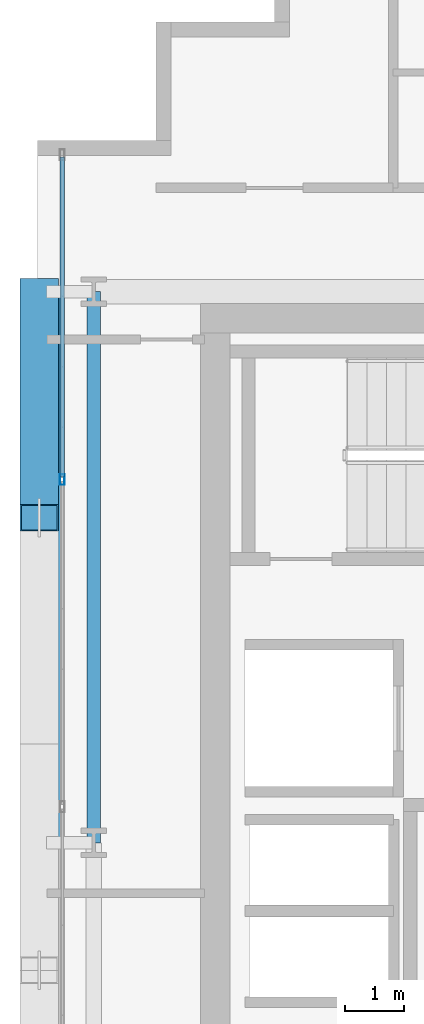
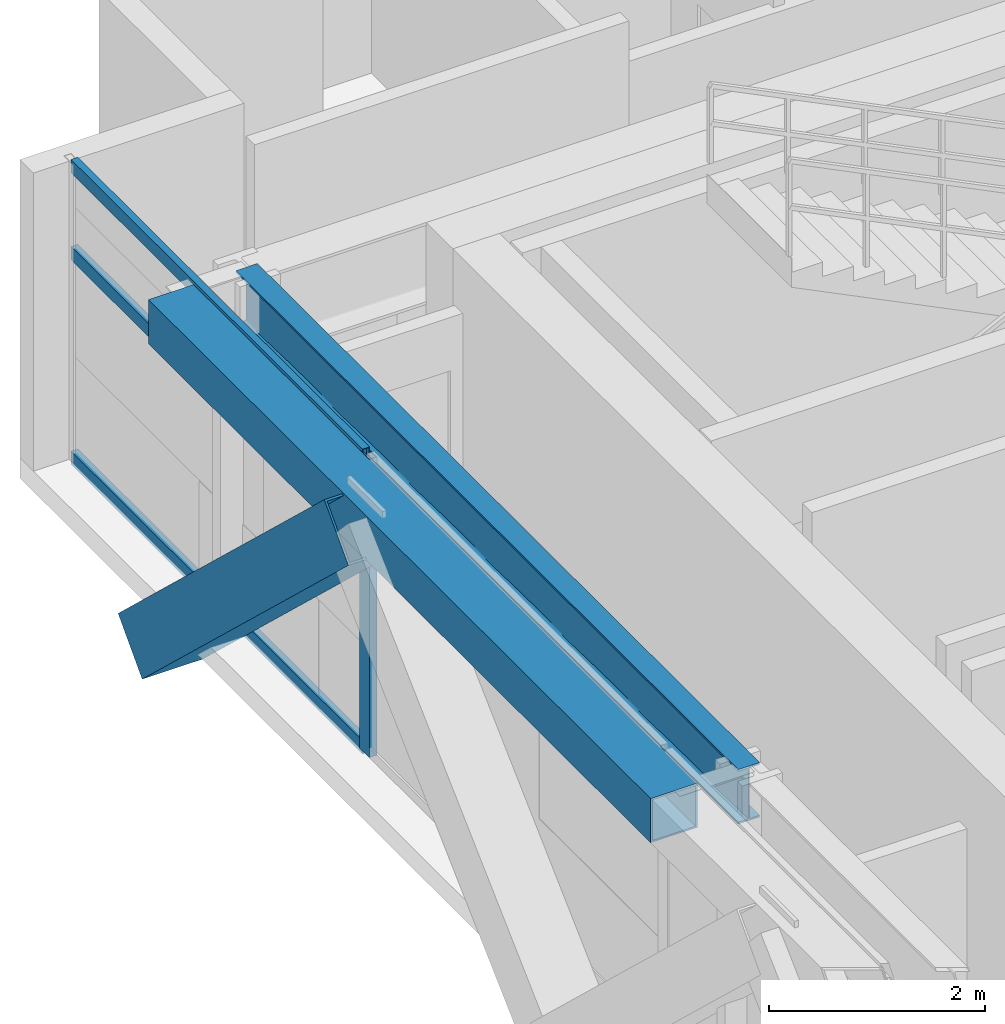
# One storey, part 8 of 32: 5 members, 2 beams, 1 element without a shape of its own.
"""IFC4 building model written with IfcOpenShell, lengths in metres."""

from ifc_helpers import new_model, si_unit, direction, frame, origin, origin_2d, place, context, subcontext, project, spatial, hollow_rectangle, i_section, extrude, source, transform, mapped, material, layer, layer_set, material_profile, profile_set, type_object, element, aggregate, save


model = new_model("IFC4")

# Units and contexts
model_context = context("Model", 3, precision=1e-05, world=origin(), true_north=direction((0.0, 1.0)))
body_context = subcontext(model_context, "Body", "Model", "MODEL_VIEW")
ifc_project = project(units=[si_unit("LENGTHUNIT", "METRE"), si_unit("AREAUNIT", "SQUARE_METRE"), si_unit("VOLUMEUNIT", "CUBIC_METRE"), si_unit("PLANEANGLEUNIT", "RADIAN"), si_unit("MASSUNIT", "GRAM", prefix="KILO")], contexts=[model_context])

# Site, building, storey
site_placement = place(None, origin())
site = spatial("IfcSite", under=ifc_project, at=site_placement, CompositionType="ELEMENT")
building_placement = place(site_placement, origin())
building = spatial("IfcBuilding", under=site, at=building_placement, Name="Ocotamira Hotel", CompositionType="ELEMENT")
storey_placement = place(building_placement, frame((0.0, 0.0, 166.800048828125)))
storey = spatial("IfcBuildingStorey", under=building, at=storey_placement, Name="L41", CompositionType="ELEMENT", Elevation=166.800048828125)

# Beams
ifc_material_1 = material(Name="Steel ASTM A992 Grade 50", Category="steel")
ifc_material_profile_1 = material_profile(ifc_material_1, i_section(OverallWidth=0.22998046875, OverallDepth=0.616943359375, WebThickness=0.01318359375, FlangeThickness=0.022216796875, FilletRadius=0.012939453125, at=origin_2d()), Name="W24X94")
ifc_profile_set_1 = profile_set([ifc_material_profile_1], Name="Steel ASTM A992 Grade 50")
beam_type_1 = type_object("IfcBeamType", Name="BM-PRIM-W24X94", PredefinedType="BEAM", material=ifc_profile_set_1)
shared_shape_1 = source(origin(), body_context, "Body", "SweptSolid", [
    extrude(i_section(OverallWidth=0.22998046875, OverallDepth=0.616943359375, WebThickness=0.01318359375, FlangeThickness=0.022216796875, FilletRadius=0.012939453125, at=origin_2d()), origin(), (0.0, 0.0, 1.0), 9.300048828125),
])
beam_1_placement = place(storey_placement, frame((8.949951171875, 28.14990234375, 3.0615234375), z_axis=(0.0, 1.0, 0.0), x_axis=(-1.0, 0.0, 0.0)))
element("IfcBeam", 1, at=beam_1_placement, inside=storey, type_object=beam_type_1, Name="L41 Beam X8.95 Y28.15-37.45", PredefinedType="BEAM", context=body_context, shape_type="MappedRepresentation", body=[
    mapped(shared_shape_1, transform((0.0, 0.0, 0.0), scale=1.0)),
])
ifc_material_2 = material(Name="Steel ASTM A500 Grade C", Category="steel")
ifc_material_profile_2 = material_profile(ifc_material_2, hollow_rectangle(XDim=0.5, YDim=0.5, WallThickness=0.02001953125, at=origin_2d()), Name="HSS500X500X20")
ifc_profile_set_2 = profile_set([ifc_material_profile_2], Name="Steel ASTM A500 Grade C")
beam_type_2 = type_object("IfcBeamType", Name="BM-SPAN-HSS500", PredefinedType="USERDEFINED", material=ifc_profile_set_2)
shared_shape_2 = source(origin(), body_context, "Body", "SweptSolid", [
    extrude(hollow_rectangle(XDim=0.5, YDim=0.5, WallThickness=0.02001953125, at=origin_2d()), origin(), (0.0, 0.0, 1.0), 9.300048828125),
])
beam_2_placement = place(storey_placement, frame((8.14990234375, 28.14990234375, 3.119873046875), z_axis=(0.0, 1.0, 0.0), x_axis=(-1.0, 0.0, 0.0)))
element("IfcBeam", 2, at=beam_2_placement, inside=storey, type_object=beam_type_2, Name="L41 Edge Spandrel W Y28.15-37.45", ObjectType="SPANDREL", PredefinedType="USERDEFINED", context=body_context, shape_type="MappedRepresentation", body=[
    mapped(shared_shape_2, transform((0.0, 0.0, 0.0), scale=1.0)),
])

# Member
ifc_material_3 = material(Name="Pale-metal coated steel ASTM A913 Grade 65", Category="steel")
ifc_material_profile_3 = material_profile(ifc_material_3, hollow_rectangle(XDim=0.64990234375, YDim=0.64990234375, WallThickness=0.02197265625, at=origin_2d()), Name="BOX650X650X22")
ifc_profile_set_3 = profile_set([ifc_material_profile_3], Name="Pale-metal coated steel ASTM A913 Grade 65")
member_type_1 = type_object("IfcMemberType", Name="MEM-EXO-BOX650", PredefinedType="BRACE", material=ifc_profile_set_3)
shared_shape_3 = source(origin(), body_context, "Body", "SweptSolid", [
    extrude(hollow_rectangle(XDim=0.64990234375, YDim=0.64990234375, WallThickness=0.02197265625, at=origin_2d()), origin(), (0.0, 0.0, 1.0), 5.24658203125),
])
member_1_placement = place(storey_placement, frame((8.030029296875, 37.449951171875, -0.47998046875), z_axis=(0.0, -0.72746596067, 0.686143772154), x_axis=(1.0, 0.0, 0.0)))
element("IfcMember", 3, at=member_1_placement, inside=storey, type_object=member_type_1, Name="L41 Exoskeleton Diagrid W2.2", PredefinedType="BRACE", context=body_context, shape_type="MappedRepresentation", body=[
    mapped(shared_shape_3, transform((0.0, 0.0, 0.0), scale=1.0)),
])

# Curtain wall, members
ifc_material_4 = material(Name="Anodised pale-metal aluminium and solar glass", Category="aluminium")
ifc_layer = layer(ifc_material_4, 0.199951171875)
ifc_layer_set = layer_set([ifc_layer], Name="Anodised pale-metal aluminium and solar glass")
curtain_wall_type = type_object("IfcCurtainWallType", Name="CW-SYS4-Z3", PredefinedType="NOTDEFINED", material=ifc_layer_set)
curtain_wall_placement = place(storey_placement, origin())
curtain_wall = element("IfcCurtainWall", 4, at=curtain_wall_placement, inside=storey, type_object=curtain_wall_type, Name="L41 Curtain Wall CW-4 CW-L41-W", PredefinedType="NOTDEFINED")
ifc_material_5 = material(Name="Anodised pale-metal aluminium 6063-T6", Category="aluminium")
ifc_material_profile_4 = material_profile(ifc_material_5, hollow_rectangle(XDim=0.074951171875, YDim=0.14990234375, WallThickness=0.006103515625, at=origin_2d()), Name="HSS150X75X6")
ifc_profile_set_4 = profile_set([ifc_material_profile_4], Name="Anodised pale-metal aluminium 6063-T6")
member_type_2 = type_object("IfcMemberType", Name="CWT-150X75", PredefinedType="USERDEFINED", material=ifc_profile_set_4)
shared_shape_4 = source(origin(), body_context, "Body", "SweptSolid", [
    extrude(hollow_rectangle(XDim=0.074951171875, YDim=0.14990234375, WallThickness=0.006103515625, at=origin_2d()), origin(), (0.0, 0.0, 1.0), 5.39990234375),
])
member_2_placement = place(storey_placement, frame((8.419921875, 34.320068359375, 0.037353515625), z_axis=(0.0, 1.0, 0.0), x_axis=(-1.0, 0.0, 0.0)))
member_2 = element("IfcMember", 5, at=member_2_placement, type_object=member_type_2, Name="CW-4 transom 5.1", ObjectType="TRANSOM", PredefinedType="USERDEFINED", context=body_context, shape_type="MappedRepresentation", body=[
    mapped(shared_shape_4, transform((0.0, 0.0, 0.0), scale=1.0)),
])
member_3_placement = place(storey_placement, frame((8.419921875, 34.320068359375, 2.349853515625), z_axis=(0.0, 1.0, 0.0), x_axis=(-1.0, 0.0, 0.0)))
member_3 = element("IfcMember", 6, at=member_3_placement, type_object=member_type_2, Name="CW-4 transom 5.2", ObjectType="TRANSOM", PredefinedType="USERDEFINED", context=body_context, shape_type="MappedRepresentation", body=[
    mapped(shared_shape_4, transform((0.0, 0.0, 0.0), scale=1.0)),
])
member_4_placement = place(storey_placement, frame((8.419921875, 34.320068359375, 3.33251953125), z_axis=(0.0, 1.0, 0.0), x_axis=(-1.0, 0.0, 0.0)))
member_4 = element("IfcMember", 7, at=member_4_placement, type_object=member_type_2, Name="CW-4 transom 5.3", ObjectType="TRANSOM", PredefinedType="USERDEFINED", context=body_context, shape_type="MappedRepresentation", body=[
    mapped(shared_shape_4, transform((0.0, 0.0, 0.0), scale=1.0)),
])
ifc_material_profile_5 = material_profile(ifc_material_5, hollow_rectangle(XDim=0.080078125, YDim=0.179931640625, WallThickness=0.006103515625, at=origin_2d()), Name="HSS180X80X6")
ifc_profile_set_5 = profile_set([ifc_material_profile_5], Name="Anodised pale-metal aluminium 6063-T6")
member_type_3 = type_object("IfcMemberType", Name="CWM-180X75", PredefinedType="MULLION", material=ifc_profile_set_5)
shared_shape_5 = source(origin(), body_context, "Body", "SweptSolid", [
    extrude(hollow_rectangle(XDim=0.080078125, YDim=0.179931640625, WallThickness=0.006103515625, at=origin_2d()), origin(), (0.0, 0.0, 1.0), 3.369873046875),
])
member_5_placement = place(storey_placement, frame((8.419921875, 34.280029296875, 0.0), z_axis=(0.0, 0.0, 1.0), x_axis=(-1.0, 0.0, 0.0)))
member_5 = element("IfcMember", 8, at=member_5_placement, type_object=member_type_3, Name="CW-4 mullion 5", PredefinedType="MULLION", context=body_context, shape_type="MappedRepresentation", body=[
    mapped(shared_shape_5, transform((0.0, 0.0, 0.0), scale=1.0)),
])
aggregate(curtain_wall, [member_5, member_2, member_3, member_4])

save(model, "model.ifc")
